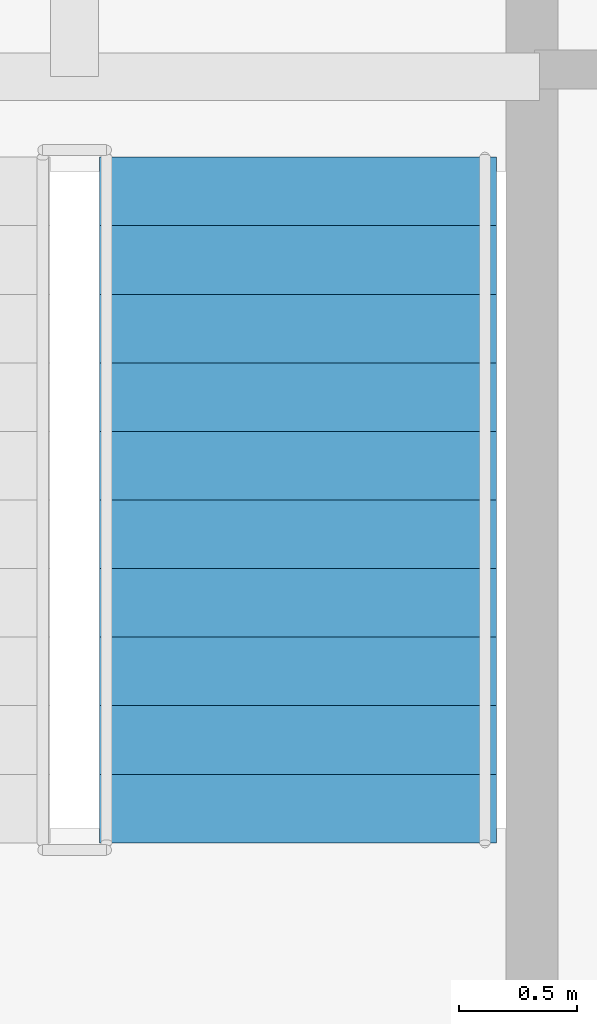
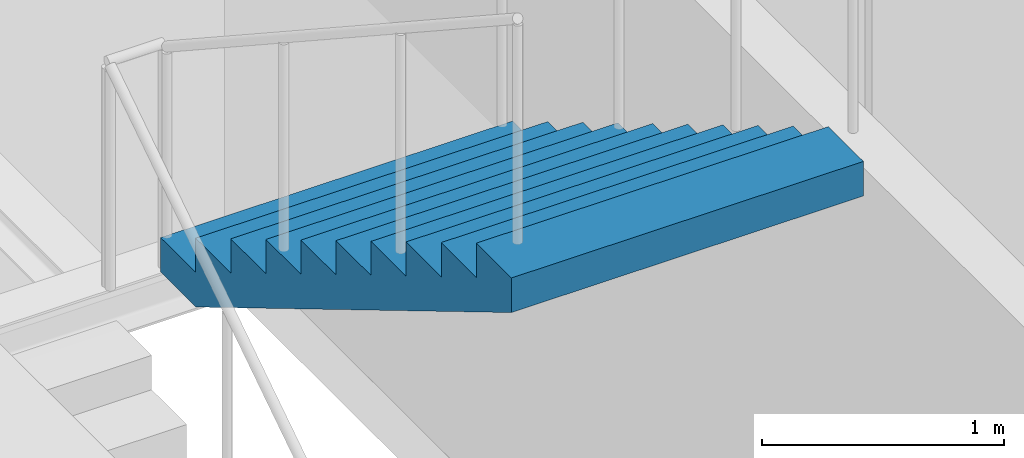
# One storey, part 7 of 11: 1 stair flight, 1 element without a shape of its own.
"""IFC4 building model written with IfcOpenShell, lengths in metres."""

from ifc_helpers import new_model, si_unit, direction, frame, origin, place, context, subcontext, project, spatial, polyline, outline, extrude, material, type_object, element, aggregate, save


model = new_model("IFC4")

# Units and contexts
model_context = context("Model", 3, precision=1e-05, world=origin(), true_north=direction((0.0, 1.0)))
body_context = subcontext(model_context, "Body", "Model", "MODEL_VIEW")
ifc_project = project(units=[si_unit("LENGTHUNIT", "METRE"), si_unit("AREAUNIT", "SQUARE_METRE"), si_unit("VOLUMEUNIT", "CUBIC_METRE"), si_unit("PLANEANGLEUNIT", "RADIAN"), si_unit("MASSUNIT", "GRAM", prefix="KILO")], contexts=[model_context])

# Site, building, storey
site_placement = place(None, origin())
site = spatial("IfcSite", under=ifc_project, at=site_placement, CompositionType="ELEMENT")
building_placement = place(site_placement, origin())
building = spatial("IfcBuilding", under=site, at=building_placement, Name="Norrvale University Quadrangle", CompositionType="ELEMENT")
storey_placement = place(building_placement, frame((0.0, 0.0, 288.60009765625)))
storey = spatial("IfcBuildingStorey", under=building, at=storey_placement, Name="L73", CompositionType="ELEMENT", Elevation=288.60009765625)

# Stair, stair flight
ifc_material = material(Name="Concrete C40/50", Category="concrete")
stair_type = type_object("IfcStairType", Name="Stair Tower Typ 3800", PredefinedType="TWO_STRAIGHT_RUN_STAIR", material=ifc_material)
stair_placement = place(storey_placement, origin())
stair = element("IfcStair", 1, at=stair_placement, inside=storey, type_object=stair_type, Name="Exit Stair ST-02 L73", PredefinedType="TWO_STRAIGHT_RUN_STAIR")
stair_flight_type = type_object("IfcStairFlightType", Name="Flight Typ 1500", PredefinedType="STRAIGHT", material=ifc_material)
stair_flight_placement = place(storey_placement, frame((5.320068359375, 44.949951171875, 1.89990234375), z_axis=(0.0, 0.0, 1.0), x_axis=(0.0, -1.0, 0.0)))
stair_flight = element("IfcStairFlight", 2, at=stair_flight_placement, type_object=stair_flight_type, Name="Exit Stair ST-02 L73 Upper Flight", NumberOfRisers=11, NumberOfTreads=10, PredefinedType="STRAIGHT", RiserHeight=0.172727, TreadLength=0.29, context=body_context, shape_type="SweptSolid", body=[
    extrude(outline(polyline([(0.0, 0.0), (0.0, 0.172607421875), (0.2900390625, 0.172607421875), (0.2900390625, 0.345458984375), (0.580078125, 0.345458984375), (0.580078125, 0.51806640625), (0.8701171875, 0.51806640625), (0.8701171875, 0.69091796875), (1.159912109375, 0.69091796875), (1.159912109375, 0.863525390625), (1.449951171875, 0.863525390625), (1.449951171875, 1.036376953125), (1.739990234375, 1.036376953125), (1.739990234375, 1.208984375), (2.030029296875, 1.208984375), (2.030029296875, 1.3818359375), (2.320068359375, 1.3818359375), (2.320068359375, 1.554443359375), (2.610107421875, 1.554443359375), (2.610107421875, 1.727294921875), (2.89990234375, 1.727294921875), (2.89990234375, 1.89990234375), (2.89990234375, 1.552734375), (0.29296875, 0.0), (0.0, 0.0)])), frame((0.0, 0.83984375, 0.0), z_axis=(0.0, -1.0, 0.0), x_axis=(1.0, 0.0, 0.0)), (0.0, 0.0, 1.0), 1.679931640625),
])
aggregate(stair, [stair_flight])

save(model, "model.ifc")
